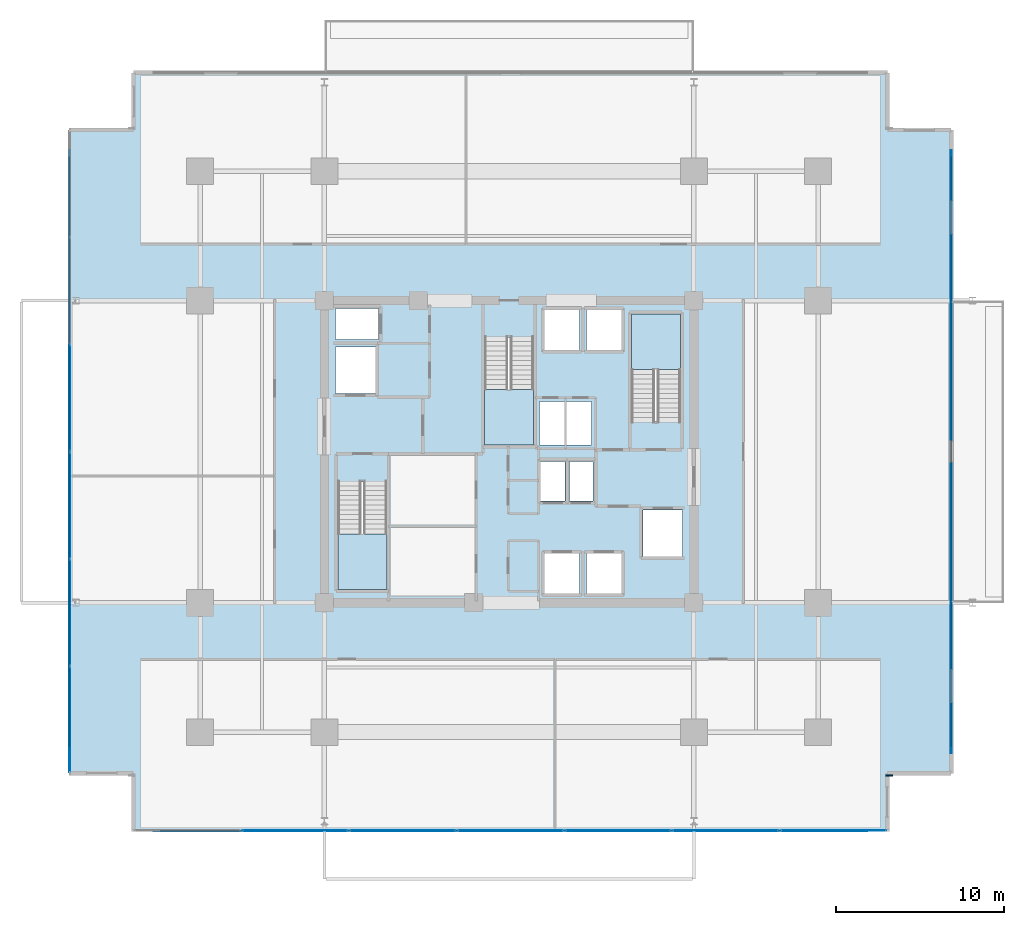
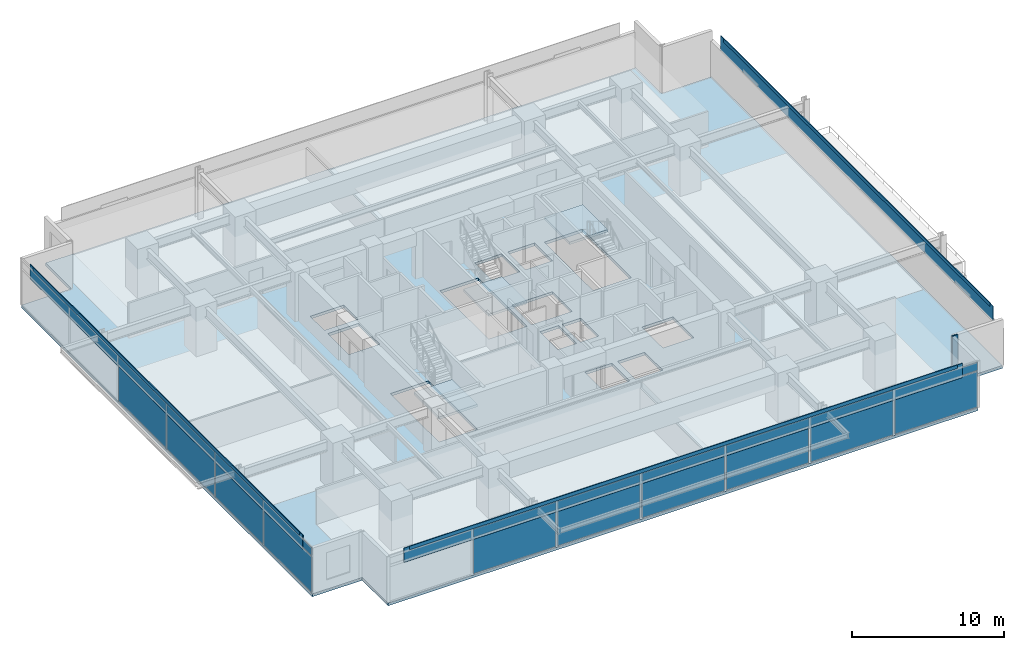
# One storey, part 14 of 24: 27 plates, 4 slabs, 5 elements without a shape of their own.
"""IFC4 building model written with IfcOpenShell, lengths in metres."""

from ifc_helpers import new_model, si_unit, direction, frame, origin, origin_2d, place, context, subcontext, project, spatial, polyline, rectangle, outline, extrude, material, layer, layer_set, type_object, element, aggregate, save


model = new_model("IFC4")

# Units and contexts
model_context = context("Model", 3, precision=1e-05, world=origin(), true_north=direction((0.0, 1.0)))
body_context = subcontext(model_context, "Body", "Model", "MODEL_VIEW")
ifc_project = project(units=[si_unit("LENGTHUNIT", "METRE"), si_unit("AREAUNIT", "SQUARE_METRE"), si_unit("VOLUMEUNIT", "CUBIC_METRE"), si_unit("PLANEANGLEUNIT", "RADIAN"), si_unit("MASSUNIT", "GRAM", prefix="KILO")], contexts=[model_context])

# Site, building, storey
site_placement = place(None, origin())
site = spatial("IfcSite", under=ifc_project, at=site_placement, CompositionType="ELEMENT")
building_placement = place(site_placement, origin())
building = spatial("IfcBuilding", under=site, at=building_placement, Name="Kovane Verandah Tower", CompositionType="ELEMENT")
storey_placement = place(building_placement, frame((0.0, 0.0, 132.39990234375)))
storey = spatial("IfcBuildingStorey", under=building, at=storey_placement, Name="L30", CompositionType="ELEMENT", Elevation=132.39990234375)

# Curtain wall, plates
ifc_material_1 = material(Name="Champagne Anodised Aluminium Frame with Low-E Clear Laminated Glass", Category="aluminium")
curtain_wall_type = type_object("IfcCurtainWallType", Name="CW-SYS-03-MID", PredefinedType="NOTDEFINED", material=ifc_material_1)
curtain_wall_1_placement = place(storey_placement, origin())
curtain_wall_1 = element("IfcCurtainWall", 1, at=curtain_wall_1_placement, inside=storey, type_object=curtain_wall_type, Name="L30 S Unitised Curtain Wall", PredefinedType="NOTDEFINED")
ifc_material_2 = material(Name="Pale Champagne Anodised Aluminium Insulated Spandrel", Category="aluminium")
ifc_layer_1 = layer(ifc_material_2, 0.0400390625)
ifc_layer_set_1 = layer_set([ifc_layer_1], Name="Pale Champagne Anodised Aluminium Insulated Spandrel")
plate_type_1 = type_object("IfcPlateType", Name="PL-CW-SPD-40", PredefinedType="SHEET", material=ifc_layer_set_1)
plate_1_placement = place(storey_placement, frame((27.25390625, 4.9462890625, 3.044921875), z_axis=(0.0, 0.0, 1.0), x_axis=(1.0, 0.0, 0.0)))
plate_1 = element("IfcPlate", 2, at=plate_1_placement, type_object=plate_type_1, Name="L30 S Unitised Curtain Wall Spandrel Panel 2", PredefinedType="SHEET", context=body_context, shape_type="SweptSolid", body=[
    extrude(rectangle(XDim=6.27099609375, YDim=0.0400390625, at=origin_2d()), origin(), (0.0, 0.0, 1.0), 0.639892578125),
])
plate_2_placement = place(storey_placement, frame((33.664794921875, 4.9462890625, 3.044921875), z_axis=(0.0, 0.0, 1.0), x_axis=(1.0, 0.0, 0.0)))
plate_2 = element("IfcPlate", 3, at=plate_2_placement, type_object=plate_type_1, Name="L30 S Unitised Curtain Wall Spandrel Panel 3", PredefinedType="SHEET", context=body_context, shape_type="SweptSolid", body=[
    extrude(rectangle(XDim=6.27099609375, YDim=0.0400390625, at=origin_2d()), origin(), (0.0, 0.0, 1.0), 0.639892578125),
])
plate_3_placement = place(storey_placement, frame((40.075927734375, 4.9462890625, 3.044921875), z_axis=(0.0, 0.0, 1.0), x_axis=(1.0, 0.0, 0.0)))
plate_3 = element("IfcPlate", 4, at=plate_3_placement, type_object=plate_type_1, Name="L30 S Unitised Curtain Wall Spandrel Panel 4", PredefinedType="SHEET", context=body_context, shape_type="SweptSolid", body=[
    extrude(rectangle(XDim=6.27099609375, YDim=0.0400390625, at=origin_2d()), origin(), (0.0, 0.0, 1.0), 0.639892578125),
])
plate_4_placement = place(storey_placement, frame((46.48681640625, 4.9462890625, 3.044921875), z_axis=(0.0, 0.0, 1.0), x_axis=(1.0, 0.0, 0.0)))
plate_4 = element("IfcPlate", 5, at=plate_4_placement, type_object=plate_type_1, Name="L30 S Unitised Curtain Wall Spandrel Panel 5", PredefinedType="SHEET", context=body_context, shape_type="SweptSolid", body=[
    extrude(rectangle(XDim=6.27099609375, YDim=0.0400390625, at=origin_2d()), origin(), (0.0, 0.0, 1.0), 0.639892578125),
])
plate_5_placement = place(storey_placement, frame((52.897705078125, 4.9462890625, 3.044921875), z_axis=(0.0, 0.0, 1.0), x_axis=(1.0, 0.0, 0.0)))
plate_5 = element("IfcPlate", 6, at=plate_5_placement, type_object=plate_type_1, Name="L30 S Unitised Curtain Wall Spandrel Panel 6", PredefinedType="SHEET", context=body_context, shape_type="SweptSolid", body=[
    extrude(rectangle(XDim=6.27099609375, YDim=0.0400390625, at=origin_2d()), origin(), (0.0, 0.0, 1.0), 0.639892578125),
])
plate_6_placement = place(storey_placement, frame((59.30859375, 4.9462890625, 3.044921875), z_axis=(0.0, 0.0, 1.0), x_axis=(1.0, 0.0, 0.0)))
plate_6 = element("IfcPlate", 7, at=plate_6_placement, type_object=plate_type_1, Name="L30 S Unitised Curtain Wall Spandrel Panel 7", PredefinedType="SHEET", context=body_context, shape_type="SweptSolid", body=[
    extrude(rectangle(XDim=6.27099609375, YDim=0.0400390625, at=origin_2d()), origin(), (0.0, 0.0, 1.0), 0.639892578125),
])

curtain_wall_2_placement = place(storey_placement, origin())
curtain_wall_2 = element("IfcCurtainWall", 8, at=curtain_wall_2_placement, inside=storey, type_object=curtain_wall_type, Name="L30 W Unitised Curtain Wall", PredefinedType="NOTDEFINED")
plate_7_placement = place(storey_placement, frame((13.837646484375, 30.6923828125, 3.044921875), z_axis=(0.0, 0.0, 1.0), x_axis=(0.0, -1.0, 0.0)))
plate_7 = element("IfcPlate", 9, at=plate_7_placement, type_object=plate_type_1, Name="L30 W Unitised Curtain Wall Spandrel Panel 3", PredefinedType="SHEET", context=body_context, shape_type="SweptSolid", body=[
    extrude(rectangle(XDim=6.24462890625, YDim=0.0400390625, at=origin_2d()), origin(), (0.0, 0.0, 1.0), 0.639892578125),
])
plate_8_placement = place(storey_placement, frame((13.837646484375, 24.3076171875, 3.044921875), z_axis=(0.0, 0.0, 1.0), x_axis=(0.0, -1.0, 0.0)))
plate_8 = element("IfcPlate", 10, at=plate_8_placement, type_object=plate_type_1, Name="L30 W Unitised Curtain Wall Spandrel Panel 4", PredefinedType="SHEET", context=body_context, shape_type="SweptSolid", body=[
    extrude(rectangle(XDim=6.24462890625, YDim=0.0400390625, at=origin_2d()), origin(), (0.0, 0.0, 1.0), 0.639892578125),
])
plate_9_placement = place(storey_placement, frame((13.837646484375, 17.923095703125, 3.044921875), z_axis=(0.0, 0.0, 1.0), x_axis=(0.0, -1.0, 0.0)))
plate_9 = element("IfcPlate", 11, at=plate_9_placement, type_object=plate_type_1, Name="L30 W Unitised Curtain Wall Spandrel Panel 5", PredefinedType="SHEET", context=body_context, shape_type="SweptSolid", body=[
    extrude(rectangle(XDim=6.24462890625, YDim=0.0400390625, at=origin_2d()), origin(), (0.0, 0.0, 1.0), 0.639892578125),
])
plate_10_placement = place(storey_placement, frame((13.837646484375, 11.53857421875, 3.044921875), z_axis=(0.0, 0.0, 1.0), x_axis=(0.0, -1.0, 0.0)))
plate_10 = element("IfcPlate", 12, at=plate_10_placement, type_object=plate_type_1, Name="L30 W Unitised Curtain Wall Spandrel Panel 6", PredefinedType="SHEET", context=body_context, shape_type="SweptSolid", body=[
    extrude(rectangle(XDim=6.24462890625, YDim=0.0400390625, at=origin_2d()), origin(), (0.0, 0.0, 1.0), 0.639892578125),
])

# Plate
ifc_material_3 = material(Name="Clear Low-E Laminated Double Glazing", Category="glass")
ifc_layer_2 = layer(ifc_material_3, 0.031982421875)
ifc_layer_set_2 = layer_set([ifc_layer_2], Name="Clear Low-E Laminated Double Glazing")
plate_type_2 = type_object("IfcPlateType", Name="PL-CW-VIS-32", PredefinedType="CURTAIN_PANEL", material=ifc_layer_set_2)
plate_11_placement = place(storey_placement, frame((27.25390625, 4.9462890625, 0.10009765625), z_axis=(0.0, 0.0, 1.0), x_axis=(1.0, 0.0, 0.0)))
plate_11 = element("IfcPlate", 13, at=plate_11_placement, type_object=plate_type_2, Name="L30 S Unitised Curtain Wall Vision Panel 2", PredefinedType="CURTAIN_PANEL", context=body_context, shape_type="SweptSolid", body=[
    extrude(rectangle(XDim=6.27099609375, YDim=0.031982421875, at=origin_2d()), origin(), (0.0, 0.0, 1.0), 2.844970703125),
])

plate_12_placement = place(storey_placement, frame((33.664794921875, 4.9462890625, 0.10009765625), z_axis=(0.0, 0.0, 1.0), x_axis=(1.0, 0.0, 0.0)))
plate_12 = element("IfcPlate", 14, at=plate_12_placement, type_object=plate_type_2, Name="L30 S Unitised Curtain Wall Vision Panel 3", PredefinedType="CURTAIN_PANEL", context=body_context, shape_type="SweptSolid", body=[
    extrude(rectangle(XDim=6.27099609375, YDim=0.031982421875, at=origin_2d()), origin(), (0.0, 0.0, 1.0), 2.844970703125),
])

plate_13_placement = place(storey_placement, frame((40.075927734375, 4.9462890625, 0.10009765625), z_axis=(0.0, 0.0, 1.0), x_axis=(1.0, 0.0, 0.0)))
plate_13 = element("IfcPlate", 15, at=plate_13_placement, type_object=plate_type_2, Name="L30 S Unitised Curtain Wall Vision Panel 4", PredefinedType="CURTAIN_PANEL", context=body_context, shape_type="SweptSolid", body=[
    extrude(rectangle(XDim=6.27099609375, YDim=0.031982421875, at=origin_2d()), origin(), (0.0, 0.0, 1.0), 2.844970703125),
])

plate_14_placement = place(storey_placement, frame((46.48681640625, 4.9462890625, 0.10009765625), z_axis=(0.0, 0.0, 1.0), x_axis=(1.0, 0.0, 0.0)))
plate_14 = element("IfcPlate", 16, at=plate_14_placement, type_object=plate_type_2, Name="L30 S Unitised Curtain Wall Vision Panel 5", PredefinedType="CURTAIN_PANEL", context=body_context, shape_type="SweptSolid", body=[
    extrude(rectangle(XDim=6.27099609375, YDim=0.031982421875, at=origin_2d()), origin(), (0.0, 0.0, 1.0), 2.844970703125),
])

plate_15_placement = place(storey_placement, frame((52.897705078125, 4.9462890625, 0.10009765625), z_axis=(0.0, 0.0, 1.0), x_axis=(1.0, 0.0, 0.0)))
plate_15 = element("IfcPlate", 17, at=plate_15_placement, type_object=plate_type_2, Name="L30 S Unitised Curtain Wall Vision Panel 6", PredefinedType="CURTAIN_PANEL", context=body_context, shape_type="SweptSolid", body=[
    extrude(rectangle(XDim=6.27099609375, YDim=0.031982421875, at=origin_2d()), origin(), (0.0, 0.0, 1.0), 2.844970703125),
])

plate_16_placement = place(storey_placement, frame((59.30859375, 4.9462890625, 0.10009765625), z_axis=(0.0, 0.0, 1.0), x_axis=(1.0, 0.0, 0.0)))
plate_16 = element("IfcPlate", 18, at=plate_16_placement, type_object=plate_type_2, Name="L30 S Unitised Curtain Wall Vision Panel 7", PredefinedType="CURTAIN_PANEL", context=body_context, shape_type="SweptSolid", body=[
    extrude(rectangle(XDim=6.27099609375, YDim=0.031982421875, at=origin_2d()), origin(), (0.0, 0.0, 1.0), 2.844970703125),
])

aggregate(curtain_wall_1, [plate_11, plate_1, plate_12, plate_2, plate_13, plate_3, plate_14, plate_4, plate_15, plate_5, plate_16, plate_6])

plate_17_placement = place(storey_placement, frame((13.837646484375, 30.6923828125, 0.10009765625), z_axis=(0.0, 0.0, 1.0), x_axis=(0.0, -1.0, 0.0)))
plate_17 = element("IfcPlate", 19, at=plate_17_placement, type_object=plate_type_2, Name="L30 W Unitised Curtain Wall Vision Panel 3", PredefinedType="CURTAIN_PANEL", context=body_context, shape_type="SweptSolid", body=[
    extrude(rectangle(XDim=6.24462890625, YDim=0.031982421875, at=origin_2d()), origin(), (0.0, 0.0, 1.0), 2.844970703125),
])

plate_18_placement = place(storey_placement, frame((13.837646484375, 24.3076171875, 0.10009765625), z_axis=(0.0, 0.0, 1.0), x_axis=(0.0, -1.0, 0.0)))
plate_18 = element("IfcPlate", 20, at=plate_18_placement, type_object=plate_type_2, Name="L30 W Unitised Curtain Wall Vision Panel 4", PredefinedType="CURTAIN_PANEL", context=body_context, shape_type="SweptSolid", body=[
    extrude(rectangle(XDim=6.24462890625, YDim=0.031982421875, at=origin_2d()), origin(), (0.0, 0.0, 1.0), 2.844970703125),
])

plate_19_placement = place(storey_placement, frame((13.837646484375, 17.923095703125, 0.10009765625), z_axis=(0.0, 0.0, 1.0), x_axis=(0.0, -1.0, 0.0)))
plate_19 = element("IfcPlate", 21, at=plate_19_placement, type_object=plate_type_2, Name="L30 W Unitised Curtain Wall Vision Panel 5", PredefinedType="CURTAIN_PANEL", context=body_context, shape_type="SweptSolid", body=[
    extrude(rectangle(XDim=6.24462890625, YDim=0.031982421875, at=origin_2d()), origin(), (0.0, 0.0, 1.0), 2.844970703125),
])

plate_20_placement = place(storey_placement, frame((13.837646484375, 11.53857421875, 0.10009765625), z_axis=(0.0, 0.0, 1.0), x_axis=(0.0, -1.0, 0.0)))
plate_20 = element("IfcPlate", 22, at=plate_20_placement, type_object=plate_type_2, Name="L30 W Unitised Curtain Wall Vision Panel 6", PredefinedType="CURTAIN_PANEL", context=body_context, shape_type="SweptSolid", body=[
    extrude(rectangle(XDim=6.24462890625, YDim=0.031982421875, at=origin_2d()), origin(), (0.0, 0.0, 1.0), 2.844970703125),
])

aggregate(curtain_wall_2, [plate_17, plate_7, plate_18, plate_8, plate_19, plate_9, plate_20, plate_10])

# Plates
ifc_material_4 = material(Name="Timber-Toned Subtropical Aluminium Vertical Blade", Category="wood")
ifc_layer_3 = layer(ifc_material_4, 0.090087890625)
ifc_layer_set_3 = layer_set([ifc_layer_3], Name="Timber-Toned Subtropical Aluminium Vertical Blade")
plate_type_3 = type_object("IfcPlateType", Name="PL-FIN-90", PredefinedType="USERDEFINED", material=ifc_layer_set_3)
plate_21_placement = place(storey_placement, frame((62.634033203125, 8.226318359375, -0.019775390625), z_axis=(0.0, 0.0, 1.0), x_axis=(1.0, 0.0, 0.0)))
element("IfcPlate", 23, at=plate_21_placement, inside=storey, type_object=plate_type_3, Name="L30 SE Timber-Toned Vertical Corner Fin", ObjectType="FIN", PredefinedType="USERDEFINED", context=body_context, shape_type="SweptSolid", body=[
    extrude(rectangle(XDim=0.419921875, YDim=0.090087890625, at=origin_2d()), origin(), (0.0, 0.0, 1.0), 3.8349609375),
])
ifc_material_5 = material(Name="Perforated Pale Champagne Anodised Aluminium Solar Screen", Category="aluminium")
ifc_layer_4 = layer(ifc_material_5, 0.050048828125)
ifc_layer_set_4 = layer_set([ifc_layer_4], Name="Perforated Pale Champagne Anodised Aluminium Solar Screen")
plate_type_4 = type_object("IfcPlateType", Name="PL-SCREEN-50", PredefinedType="USERDEFINED", material=ifc_layer_set_4)
plate_22_placement = place(storey_placement, frame((40.075927734375, 4.931396484375, 2.875244140625), z_axis=(0.0, 0.0, 1.0), x_axis=(1.0, 0.0, 0.0)))
element("IfcPlate", 24, at=plate_22_placement, inside=storey, type_object=plate_type_4, Name="L30 S Perforated Champagne-Gold Solar Screen", ObjectType="SCREEN", PredefinedType="USERDEFINED", context=body_context, shape_type="SweptSolid", body=[
    extrude(rectangle(XDim=42.47705078125, YDim=0.050048828125, at=origin_2d()), origin(), (0.0, 0.0, 1.0), 1.14990234375),
])
for number, where, z_axis, x_axis, name in (
    (25, (66.3291015625, 27.5, 2.875244140625), (0.0, 0.0, 1.0), (0.0, 1.0, 0.0), "L30 E Perforated Champagne-Gold Solar Screen"),
    (26, (13.822509765625, 27.5, 2.875244140625), (0.0, 0.0, 1.0), (0.0, -1.0, 0.0), "L30 W Perforated Champagne-Gold Solar Screen"),
):
    element("IfcPlate", number, at=place(storey_placement, frame(where, z_axis=z_axis, x_axis=x_axis)), inside=storey, type_object=plate_type_4, Name=name, ObjectType="SCREEN", PredefinedType="USERDEFINED", context=body_context, shape_type="SweptSolid", body=[
        extrude(rectangle(XDim=35.906982421875, YDim=0.050048828125, at=origin_2d()), origin(), (0.0, 0.0, 1.0), 1.14990234375),
    ])
ifc_material_6 = material(Name="Extruded Pale-Bronze Aluminium Aerofoil Sunshade", Category="aluminium")
ifc_layer_5 = layer(ifc_material_6, 0.06005859375)
ifc_layer_set_5 = layer_set([ifc_layer_5], Name="Extruded Pale-Bronze Aluminium Aerofoil Sunshade")
plate_type_5 = type_object("IfcPlateType", Name="PL-SUNSHADE-60", PredefinedType="USERDEFINED", material=ifc_layer_set_5)
plate_23_placement = place(storey_placement, frame((40.075927734375, 4.92626953125, 3.7548828125), z_axis=(0.0, 0.0, 1.0), x_axis=(1.0, 0.0, 0.0)))
element("IfcPlate", 27, at=plate_23_placement, inside=storey, type_object=plate_type_5, Name="L30 S Subtropical Aerofoil Sunshade", ObjectType="SUNSHADE", PredefinedType="USERDEFINED", context=body_context, shape_type="SweptSolid", body=[
    extrude(rectangle(XDim=41.676025390625, YDim=0.06005859375, at=origin_2d()), origin(), (0.0, 0.0, 1.0), 0.280029296875),
])
for number, where, z_axis, x_axis, name in (
    (28, (66.333984375, 27.5, 3.7548828125), (0.0, 0.0, 1.0), (0.0, 1.0, 0.0), "L30 E Subtropical Aerofoil Sunshade"),
    (29, (13.817626953125, 27.5, 3.7548828125), (0.0, 0.0, 1.0), (0.0, -1.0, 0.0), "L30 W Subtropical Aerofoil Sunshade"),
):
    element("IfcPlate", number, at=place(storey_placement, frame(where, z_axis=z_axis, x_axis=x_axis)), inside=storey, type_object=plate_type_5, Name=name, ObjectType="SUNSHADE", PredefinedType="USERDEFINED", context=body_context, shape_type="SweptSolid", body=[
        extrude(rectangle(XDim=35.10693359375, YDim=0.06005859375, at=origin_2d()), origin(), (0.0, 0.0, 1.0), 0.280029296875),
    ])

# Stair, slab
ifc_material_7 = material(Name="Concrete C45/55", Category="concrete")
stair_type = type_object("IfcStairType", Name="ST-CORE-1380", PredefinedType="HALF_TURN_STAIR", material=ifc_material_7)
stair_1_placement = place(storey_placement, origin())
stair_1 = element("IfcStair", 30, at=stair_1_placement, inside=storey, type_object=stair_type, Name="L30 Exit Stair ST-01", PredefinedType="HALF_TURN_STAIR")
ifc_layer_6 = layer(ifc_material_7, 0.199951171875)
ifc_layer_set_6 = layer_set([ifc_layer_6], Name="Concrete C45/55")
slab_type_1 = type_object("IfcSlabType", Name="SL-LAND-200", PredefinedType="LANDING", material=ifc_layer_set_6)
slab_1_placement = place(storey_placement, frame((0.0, 0.0, 1.800048828125)))
slab_1 = element("IfcSlab", 31, at=slab_1_placement, type_object=slab_type_1, Name="ST-01 landing 1", PredefinedType="LANDING", context=body_context, shape_type="SweptSolid", body=[
    extrude(outline(polyline([(29.800048828125, 22.614990234375), (29.800048828125, 19.300048828125), (32.719970703125, 19.300048828125), (32.719970703125, 22.614990234375), (29.800048828125, 22.614990234375)])), origin(), (0.0, 0.0, 1.0), 0.199951171875),
])
aggregate(stair_1, [slab_1])

stair_2_placement = place(storey_placement, origin())
stair_2 = element("IfcStair", 32, at=stair_2_placement, inside=storey, type_object=stair_type, Name="L30 Exit Stair ST-02", PredefinedType="HALF_TURN_STAIR")
slab_2_placement = place(storey_placement, frame((0.0, 0.0, 1.800048828125)))
slab_2 = element("IfcSlab", 33, at=slab_2_placement, type_object=slab_type_1, Name="ST-02 landing 1", PredefinedType="LANDING", context=body_context, shape_type="SweptSolid", body=[
    extrude(outline(polyline([(50.199951171875, 32.385009765625), (50.199951171875, 35.699951171875), (47.280029296875, 35.699951171875), (47.280029296875, 32.385009765625), (50.199951171875, 32.385009765625)])), origin(), (0.0, 0.0, 1.0), 0.199951171875),
])
aggregate(stair_2, [slab_2])

stair_3_placement = place(storey_placement, origin())
stair_3 = element("IfcStair", 34, at=stair_3_placement, inside=storey, type_object=stair_type, Name="L30 Exit Stair ST-03", PredefinedType="HALF_TURN_STAIR")
slab_3_placement = place(storey_placement, frame((0.0, 0.0, 1.800048828125)))
slab_3 = element("IfcSlab", 35, at=slab_3_placement, type_object=slab_type_1, Name="ST-03 landing 1", PredefinedType="LANDING", context=body_context, shape_type="SweptSolid", body=[
    extrude(outline(polyline([(38.5400390625, 31.215087890625), (38.5400390625, 27.89990234375), (41.4599609375, 27.89990234375), (41.4599609375, 31.215087890625), (38.5400390625, 31.215087890625)])), origin(), (0.0, 0.0, 1.0), 0.199951171875),
])
aggregate(stair_3, [slab_3])

# Slab
ifc_layer_7 = layer(ifc_material_7, 0.22509765625)
ifc_layer_set_7 = layer_set([ifc_layer_7], Name="Concrete C45/55")
slab_type_2 = type_object("IfcSlabType", Name="SL-MID-225", PredefinedType="FLOOR", material=ifc_layer_set_7)
slab_4_placement = place(storey_placement, frame((0.0, 0.0, -0.224853515625)))
element("IfcSlab", 36, at=slab_4_placement, inside=storey, type_object=slab_type_2, Name="L30 Structural Floor Slab", PredefinedType="FLOOR", context=body_context, shape_type="SweptSolid", body=[
    extrude(outline(polyline([(17.6376953125, 4.9462890625), (62.51416015625, 4.9462890625), (62.51416015625, 8.34619140625), (66.314208984375, 8.34619140625), (66.314208984375, 46.65380859375), (62.51416015625, 46.65380859375), (62.51416015625, 50.0537109375), (17.6376953125, 50.0537109375), (17.6376953125, 46.65380859375), (13.837646484375, 46.65380859375), (13.837646484375, 8.34619140625), (17.6376953125, 8.34619140625), (17.6376953125, 4.9462890625)]), holes=[polyline([(29.800048828125, 19.300048828125), (32.719970703125, 19.300048828125), (32.719970703125, 25.705078125), (29.800048828125, 25.705078125), (29.800048828125, 19.300048828125)]), polyline([(47.280029296875, 29.294921875), (50.199951171875, 29.294921875), (50.199951171875, 35.699951171875), (47.280029296875, 35.699951171875), (47.280029296875, 29.294921875)]), polyline([(38.5400390625, 27.89990234375), (41.4599609375, 27.89990234375), (41.4599609375, 34.304931640625), (38.5400390625, 34.304931640625), (38.5400390625, 27.89990234375)]), polyline([(29.669921875, 30.969970703125), (32.030029296875, 30.969970703125), (32.030029296875, 33.72998046875), (29.669921875, 33.72998046875), (29.669921875, 30.969970703125)]), polyline([(47.969970703125, 21.27001953125), (50.330078125, 21.27001953125), (50.330078125, 24.030029296875), (47.969970703125, 24.030029296875), (47.969970703125, 21.27001953125)]), polyline([(29.669921875, 34.169921875), (32.22998046875, 34.169921875), (32.22998046875, 36.030029296875), (29.669921875, 36.030029296875), (29.669921875, 34.169921875)]), polyline([(42.1201171875, 19.070068359375), (44.179931640625, 19.070068359375), (44.179931640625, 21.429931640625), (42.1201171875, 21.429931640625), (42.1201171875, 19.070068359375)]), polyline([(44.6201171875, 19.070068359375), (46.679931640625, 19.070068359375), (46.679931640625, 21.429931640625), (44.6201171875, 21.429931640625), (44.6201171875, 19.070068359375)]), polyline([(41.8798828125, 24.570068359375), (43.320068359375, 24.570068359375), (43.320068359375, 26.929931640625), (41.8798828125, 26.929931640625), (41.8798828125, 24.570068359375)]), polyline([(43.580078125, 24.570068359375), (45.0, 24.570068359375), (45.0, 26.929931640625), (43.580078125, 26.929931640625), (43.580078125, 24.570068359375)]), polyline([(42.1201171875, 33.570068359375), (44.179931640625, 33.570068359375), (44.179931640625, 35.929931640625), (42.1201171875, 35.929931640625), (42.1201171875, 33.570068359375)]), polyline([(44.6201171875, 33.570068359375), (46.679931640625, 33.570068359375), (46.679931640625, 35.929931640625), (44.6201171875, 35.929931640625), (44.6201171875, 33.570068359375)]), polyline([(41.800048828125, 27.89990234375), (44.89990234375, 27.89990234375), (44.89990234375, 30.5), (41.800048828125, 30.5), (41.800048828125, 27.89990234375)])]), origin(), (0.0, 0.0, 1.0), 0.224853515625),
])

save(model, "model.ifc")
